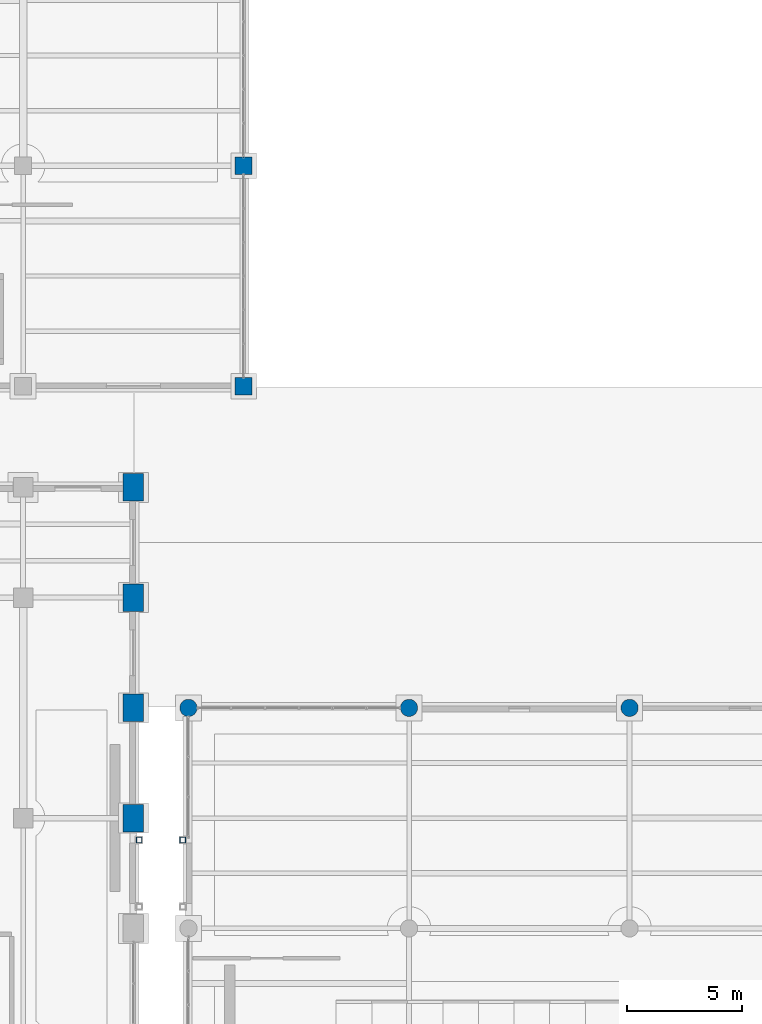
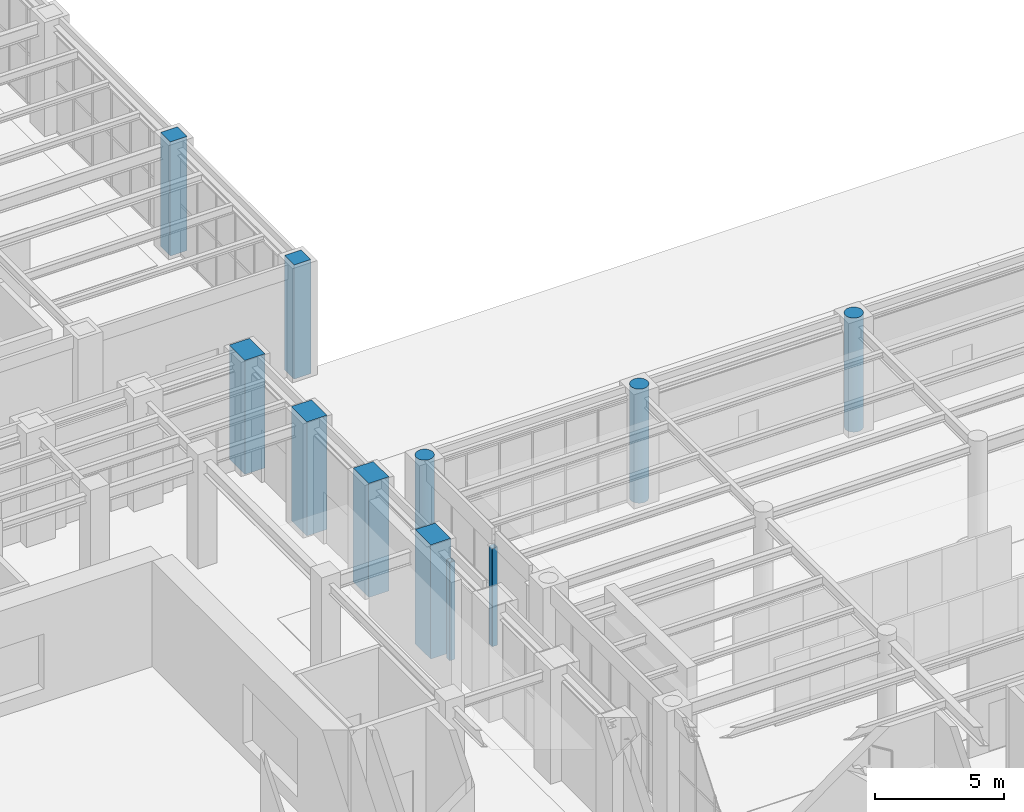
# One storey, part 14 of 164: 11 columns.
"""IFC4 building model written with IfcOpenShell, lengths in metres."""

from ifc_helpers import new_model, si_unit, direction, frame, origin, origin_2d, place, context, subcontext, project, spatial, rectangle, hollow_rectangle, circle, extrude, material, material_profile, profile_set, type_object, element, save


model = new_model("IFC4")

# Units and contexts
model_context = context("Model", 3, precision=1e-05, world=origin(), true_north=direction((0.0, 1.0)))
body_context = subcontext(model_context, "Body", "Model", "MODEL_VIEW")
ifc_project = project(units=[si_unit("LENGTHUNIT", "METRE"), si_unit("AREAUNIT", "SQUARE_METRE"), si_unit("VOLUMEUNIT", "CUBIC_METRE"), si_unit("PLANEANGLEUNIT", "RADIAN"), si_unit("MASSUNIT", "GRAM", prefix="KILO")], contexts=[model_context])

# Site, building, storey
site_placement = place(None, origin())
site = spatial("IfcSite", under=ifc_project, at=site_placement, CompositionType="ELEMENT")
building_placement = place(site_placement, origin())
building = spatial("IfcBuilding", under=site, at=building_placement, Name="Mavantir Sound Aquarium", CompositionType="ELEMENT")
storey_placement = place(building_placement, origin())
storey = spatial("IfcBuildingStorey", under=building, at=storey_placement, Name="L00", CompositionType="ELEMENT", Elevation=0.0)

# Columns
ifc_material_1 = material(Name="Concrete C40/50", Category="concrete")
ifc_material_profile_1 = material_profile(ifc_material_1, rectangle(XDim=0.75, YDim=0.75, at=origin_2d()), Name="RC 750X750")
ifc_profile_set_1 = profile_set([ifc_material_profile_1], Name="Concrete C40/50")
column_type_1 = type_object("IfcColumnType", Name="COL-RC750-I", PredefinedType="COLUMN", material=ifc_profile_set_1)
for number, where, z_axis, x_axis, name in (
    (1, (38.39990234375, 83.60009765625, 0.0), (0.0, 0.0, 1.0), (1.0, 0.0, 0.0), "L00 column RC-C75 (V5)"),
    (2, (38.39990234375, 93.199951171875, 0.0), (0.0, 0.0, 1.0), (1.0, 0.0, 0.0), "L00 column RC-C75 (V5)"),
):
    element("IfcColumn", number, at=place(storey_placement, frame(where, z_axis=z_axis, x_axis=x_axis)), inside=storey, type_object=column_type_1, Name=name, PredefinedType="COLUMN", context=body_context, shape_type="SweptSolid", body=[
        extrude(rectangle(XDim=0.75, YDim=0.75, at=origin_2d()), origin(), (0.0, 0.0, 1.0), 5.39990234375),
    ])
ifc_material_profile_2 = material_profile(ifc_material_1, rectangle(XDim=0.89990234375, YDim=1.199951171875, at=origin_2d()), Name="RC 900X1200")
ifc_profile_set_2 = profile_set([ifc_material_profile_2], Name="Concrete C40/50")
column_type_2 = type_object("IfcColumnType", Name="COL-RC900X1200-I", PredefinedType="COLUMN", material=ifc_profile_set_2)
for number, where, z_axis, x_axis, name in (
    (3, (33.60009765625, 64.800048828125, 0.0), (0.0, 0.0, 1.0), (1.0, 0.0, 0.0), "L00 column RC-C912 (V1)"),
    (4, (33.60009765625, 69.60009765625, 0.0), (0.0, 0.0, 1.0), (1.0, 0.0, 0.0), "L00 column RC-C912 (V1)"),
    (5, (33.60009765625, 74.39990234375, 0.0), (0.0, 0.0, 1.0), (1.0, 0.0, 0.0), "L00 column RC-C912 (V1)"),
    (6, (33.60009765625, 79.199951171875, 0.0), (0.0, 0.0, 1.0), (1.0, 0.0, 0.0), "L00 column RC-C912 (V1)"),
):
    element("IfcColumn", number, at=place(storey_placement, frame(where, z_axis=z_axis, x_axis=x_axis)), inside=storey, type_object=column_type_2, Name=name, PredefinedType="COLUMN", context=body_context, shape_type="SweptSolid", body=[
        extrude(rectangle(XDim=0.89990234375, YDim=1.199951171875, at=origin_2d()), origin(), (0.0, 0.0, 1.0), 5.39990234375),
    ])
ifc_material_profile_3 = material_profile(ifc_material_1, circle(Radius=0.375, at=origin_2d()), Name="RC D750")
ifc_profile_set_3 = profile_set([ifc_material_profile_3], Name="Concrete C40/50")
column_type_3 = type_object("IfcColumnType", Name="COL-RCD750-I", PredefinedType="COLUMN", material=ifc_profile_set_3)
for number, where, z_axis, x_axis, name in (
    (7, (36.0, 69.60009765625, 0.0), (0.0, 0.0, 1.0), (1.0, 0.0, 0.0), "L00 column RC-CD75 (V2)"),
    (8, (45.60009765625, 69.60009765625, 0.0), (0.0, 0.0, 1.0), (1.0, 0.0, 0.0), "L00 column RC-CD75 (V2)"),
    (9, (55.199951171875, 69.60009765625, 0.0), (0.0, 0.0, 1.0), (1.0, 0.0, 0.0), "L00 column RC-CD75 (V2)"),
):
    element("IfcColumn", number, at=place(storey_placement, frame(where, z_axis=z_axis, x_axis=x_axis)), inside=storey, type_object=column_type_3, Name=name, PredefinedType="COLUMN", context=body_context, shape_type="SweptSolid", body=[
        extrude(circle(Radius=0.375, at=origin_2d()), origin(), (0.0, 0.0, 1.0), 5.39990234375),
    ])
ifc_material_2 = material(Name="Hollow Structural Steel ASTM A500 GrC", Category="steel")
ifc_material_profile_4 = material_profile(ifc_material_2, hollow_rectangle(XDim=0.25, YDim=0.25, WallThickness=0.012451171875, InnerFilletRadius=0.012451171875, OuterFilletRadius=0.02490234375, at=origin_2d()), Name="SHS 250X250X12.5")
ifc_profile_set_4 = profile_set([ifc_material_profile_4], Name="Hollow Structural Steel ASTM A500 GrC")
column_type_4 = type_object("IfcColumnType", Name="COL-SHS250-E", PredefinedType="COLUMN", material=ifc_profile_set_4)
for number, where, z_axis, x_axis, name in (
    (10, (33.85009765625, 63.85009765625, 0.0), (0.0, 0.0, 1.0), (1.0, 0.0, 0.0), "Bridge support column 1.2 (L00)"),
    (11, (35.75, 63.85009765625, 0.0), (0.0, 0.0, 1.0), (1.0, 0.0, 0.0), "Bridge support column 1.4 (L00)"),
):
    element("IfcColumn", number, at=place(storey_placement, frame(where, z_axis=z_axis, x_axis=x_axis)), inside=storey, type_object=column_type_4, Name=name, PredefinedType="COLUMN", context=body_context, shape_type="SweptSolid", body=[
        extrude(hollow_rectangle(XDim=0.25, YDim=0.25, WallThickness=0.012451171875, InnerFilletRadius=0.012451171875, OuterFilletRadius=0.02490234375, at=origin_2d()), origin(), (0.0, 0.0, 1.0), 4.65087890625),
    ])

save(model, "model.ifc")
